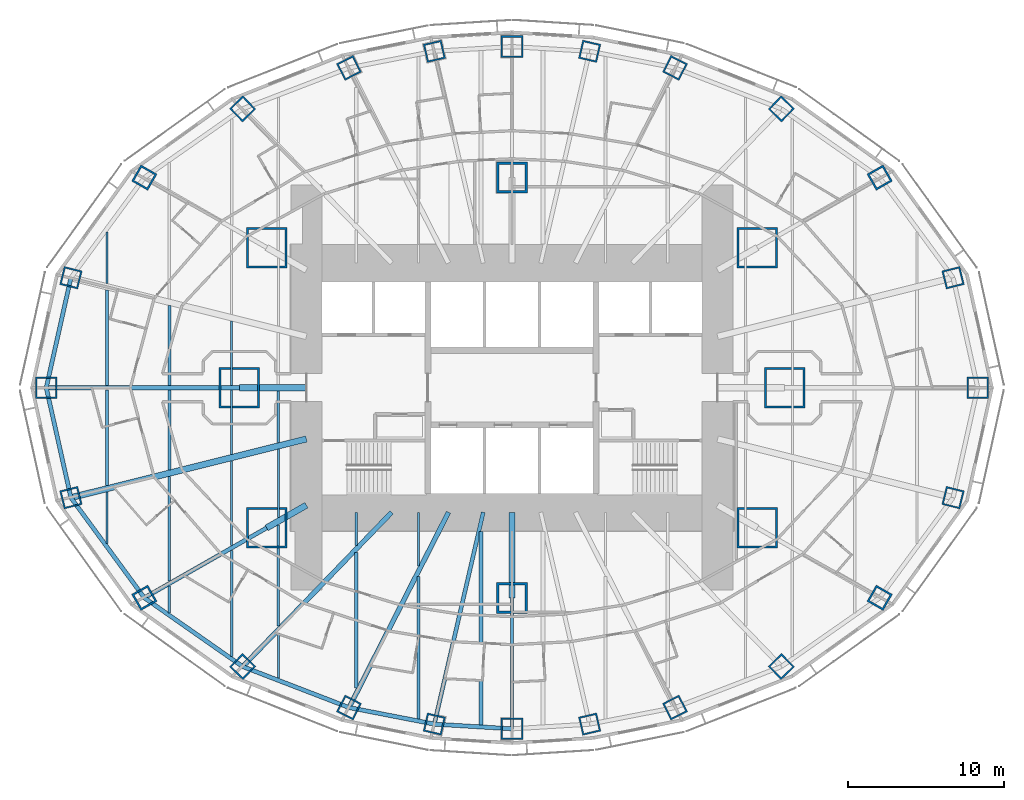
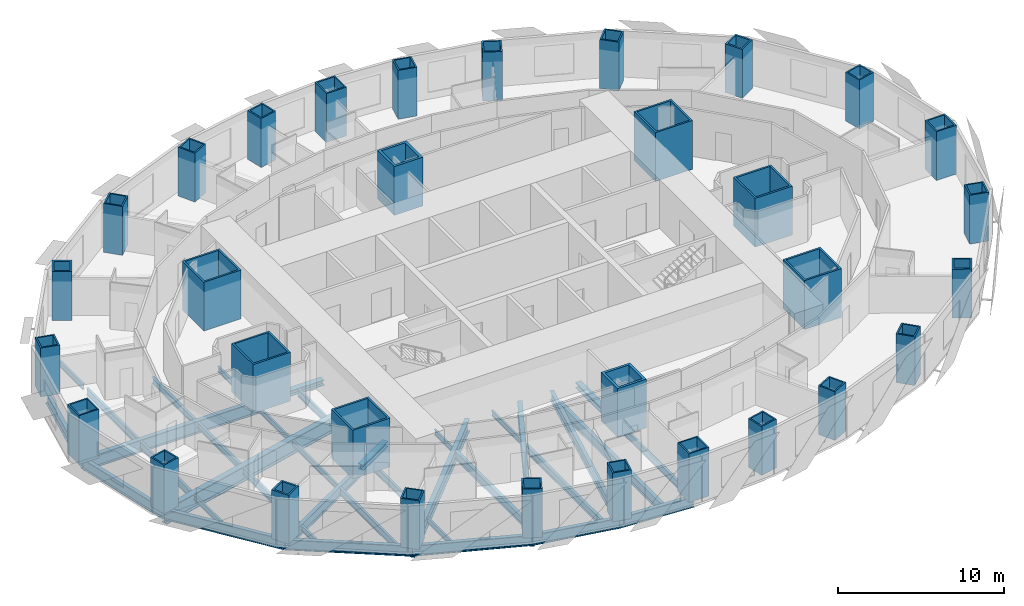
# One storey, part 1 of 15: 38 beams, 32 columns.
"""IFC4 building model written with IfcOpenShell, lengths in metres."""

from ifc_helpers import new_model, si_unit, direction, frame, origin, origin_2d, place, context, subcontext, project, spatial, rectangle, hollow_rectangle, i_section, extrude, material, material_profile, profile_set, type_object, element, save


model = new_model("IFC4")

# Units and contexts
model_context = context("Model", 3, precision=1e-05, world=origin(), true_north=direction((0.0, 1.0)))
body_context = subcontext(model_context, "Body", "Model", "MODEL_VIEW")
ifc_project = project(units=[si_unit("LENGTHUNIT", "METRE"), si_unit("AREAUNIT", "SQUARE_METRE"), si_unit("VOLUMEUNIT", "CUBIC_METRE"), si_unit("PLANEANGLEUNIT", "RADIAN"), si_unit("MASSUNIT", "GRAM", prefix="KILO")], contexts=[model_context])

# Site, building, storey
site_placement = place(None, origin())
site = spatial("IfcSite", under=ifc_project, at=site_placement, CompositionType="ELEMENT")
building_placement = place(site_placement, origin())
building = spatial("IfcBuilding", under=site, at=building_placement, Name="Lantaw Convention Tower", CompositionType="ELEMENT")
storey_placement = place(building_placement, frame((0.0, 0.0, 65.800048828125)))
storey = spatial("IfcBuildingStorey", under=building, at=storey_placement, Name="L14", CompositionType="ELEMENT", Elevation=65.800048828125)

# Columns
ifc_material_1 = material(Name="Steel EN 10025-3 S460N", Category="steel")
ifc_material_profile_1 = material_profile(ifc_material_1, hollow_rectangle(XDim=2.0, YDim=2.0, WallThickness=0.169921875, at=origin_2d()), Name="BOX2000X170")
ifc_material_2 = material(Name="Concrete C60/75", Category="concrete")
ifc_material_profile_2 = material_profile(ifc_material_2, rectangle(XDim=1.659912109375, YDim=1.659912109375, at=origin_2d()), Name="Concrete fill of BOX2000X170")
ifc_profile_set_1 = profile_set([ifc_material_profile_1, ifc_material_profile_2], Name="Steel EN 10025-3 S460N")
column_type_1 = type_object("IfcColumnType", Name="Column MC BOX2000X170", PredefinedType="COLUMN", material=ifc_profile_set_1)
for number, where, z_axis, x_axis, name in (
    (1, (0.0, 13.5, 0.0), (0.0, 0.0, 1.0), (1.0, 0.0, 0.0), "Mega column M3"),
    (2, (0.0, -13.5, 0.0), (0.0, 0.0, 1.0), (1.0, 0.0, 0.0), "Mega column M7"),
):
    element("IfcColumn", number, at=place(storey_placement, frame(where, z_axis=z_axis, x_axis=x_axis)), inside=storey, type_object=column_type_1, Name=name, PredefinedType="COLUMN", context=body_context, shape_type="SweptSolid", body=[
        extrude(hollow_rectangle(XDim=2.0, YDim=2.0, WallThickness=0.169921875, at=origin_2d()), origin(), (0.0, 0.0, 1.0), 3.599853515625),
    ])
ifc_material_profile_3 = material_profile(ifc_material_1, hollow_rectangle(XDim=2.60009765625, YDim=2.60009765625, WallThickness=0.1298828125, at=origin_2d()), Name="BOX2600X130")
ifc_material_profile_4 = material_profile(ifc_material_2, rectangle(XDim=2.340087890625, YDim=2.340087890625, at=origin_2d()), Name="Concrete fill of BOX2600X130")
ifc_profile_set_2 = profile_set([ifc_material_profile_3, ifc_material_profile_4], Name="Steel EN 10025-3 S460N")
column_type_2 = type_object("IfcColumnType", Name="Column MC BOX2600X130", PredefinedType="COLUMN", material=ifc_profile_set_2)
for number, where, z_axis, x_axis, name in (
    (3, (17.5, 0.0, 0.0), (0.0, 0.0, 1.0), (1.0, 0.0, 0.0), "Mega column M1"),
    (4, (15.75, 9.0, 0.0), (0.0, 0.0, 1.0), (1.0, 0.0, 0.0), "Mega column M2"),
    (5, (-15.75, 9.0, 0.0), (0.0, 0.0, 1.0), (1.0, 0.0, 0.0), "Mega column M4"),
    (6, (-17.5, 0.0, 0.0), (0.0, 0.0, 1.0), (1.0, 0.0, 0.0), "Mega column M5"),
    (7, (-15.75, -9.0, 0.0), (0.0, 0.0, 1.0), (1.0, 0.0, 0.0), "Mega column M6"),
    (8, (15.75, -9.0, 0.0), (0.0, 0.0, 1.0), (1.0, 0.0, 0.0), "Mega column M8"),
):
    element("IfcColumn", number, at=place(storey_placement, frame(where, z_axis=z_axis, x_axis=x_axis)), inside=storey, type_object=column_type_2, Name=name, PredefinedType="COLUMN", context=body_context, shape_type="SweptSolid", body=[
        extrude(hollow_rectangle(XDim=2.60009765625, YDim=2.60009765625, WallThickness=0.1298828125, at=origin_2d()), origin(), (0.0, 0.0, 1.0), 3.599853515625),
    ])
ifc_material_profile_5 = material_profile(ifc_material_1, hollow_rectangle(XDim=1.199951171875, YDim=1.199951171875, WallThickness=0.10009765625, at=origin_2d()), Name="BOX1200X100")
ifc_material_profile_6 = material_profile(ifc_material_2, rectangle(XDim=1.0, YDim=1.0, at=origin_2d()), Name="Concrete fill of BOX1200X100")
ifc_profile_set_3 = profile_set([ifc_material_profile_5, ifc_material_profile_6], Name="Steel EN 10025-3 S460N")
column_type_3 = type_object("IfcColumnType", Name="Column PC BOX1200X100", PredefinedType="COLUMN", material=ifc_profile_set_3)
for number, where, z_axis, x_axis, name in (
    (9, (28.31787109375, 7.060302734375, 0.0), (0.0, 0.0, 1.0), (0.970295726276, 0.2419218956, 0.0), "Perimeter column P2"),
    (10, (17.290771484375, 17.9052734375, 0.0), (0.0, 0.0, 1.0), (0.694658370459, 0.719339800339, 0.0), "Perimeter column P4"),
    (11, (10.462646484375, 20.533935546875, 0.0), (0.0, 0.0, 1.0), (0.45399049974, 0.891006524188, 0.0), "Perimeter column P5"),
    (12, (4.986328125, 21.59814453125, 0.0), (0.0, 0.0, 1.0), (0.224951054344, 0.974370064785, 0.0), "Perimeter column P6"),
    (13, (-4.986328125, 21.59814453125, 0.0), (0.0, 0.0, 1.0), (0.974370064785, 0.224951054344, 0.0), "Perimeter column P8"),
    (14, (-10.462646484375, 20.533935546875, 0.0), (0.0, 0.0, 1.0), (0.891006524188, 0.45399049974, 0.0), "Perimeter column P9"),
    (15, (-17.290771484375, 17.9052734375, 0.0), (0.0, 0.0, 1.0), (0.719339800339, 0.694658370459, 0.0), "Perimeter column P10"),
    (16, (-28.31787109375, 7.060302734375, 0.0), (0.0, 0.0, 1.0), (0.2419218956, 0.970295726276, 0.0), "Perimeter column P12"),
    (17, (-28.31787109375, -7.060302734375, 0.0), (0.0, 0.0, 1.0), (0.970295726276, 0.2419218956, 0.0), "Perimeter column P14"),
    (18, (-17.290771484375, -17.9052734375, 0.0), (0.0, 0.0, 1.0), (0.694658370459, 0.719339800339, 0.0), "Perimeter column P16"),
    (19, (-10.462646484375, -20.533935546875, 0.0), (0.0, 0.0, 1.0), (0.45399049974, 0.891006524188, 0.0), "Perimeter column P17"),
    (20, (-4.986328125, -21.59814453125, 0.0), (0.0, 0.0, 1.0), (0.224951054344, 0.974370064785, 0.0), "Perimeter column P18"),
    (21, (4.986328125, -21.59814453125, 0.0), (0.0, 0.0, 1.0), (0.974370064785, 0.224951054344, 0.0), "Perimeter column P20"),
    (22, (10.462646484375, -20.533935546875, 0.0), (0.0, 0.0, 1.0), (0.891006524188, 0.45399049974, 0.0), "Perimeter column P21"),
    (23, (17.290771484375, -17.9052734375, 0.0), (0.0, 0.0, 1.0), (0.719339800339, 0.694658370459, 0.0), "Perimeter column P22"),
    (24, (28.31787109375, -7.060302734375, 0.0), (0.0, 0.0, 1.0), (0.2419218956, 0.970295726276, 0.0), "Perimeter column P24"),
):
    element("IfcColumn", number, at=place(storey_placement, frame(where, z_axis=z_axis, x_axis=x_axis)), inside=storey, type_object=column_type_3, Name=name, PredefinedType="COLUMN", context=body_context, shape_type="SweptSolid", body=[
        extrude(hollow_rectangle(XDim=1.199951171875, YDim=1.199951171875, WallThickness=0.10009765625, at=origin_2d()), origin(), (0.0, 0.0, 1.0), 3.599853515625),
    ])
ifc_material_profile_7 = material_profile(ifc_material_1, hollow_rectangle(XDim=1.199951171875, YDim=1.199951171875, WallThickness=0.1201171875, at=origin_2d()), Name="BOX1200X120")
ifc_material_profile_8 = material_profile(ifc_material_2, rectangle(XDim=0.9599609375, YDim=0.9599609375, at=origin_2d()), Name="Concrete fill of BOX1200X120")
ifc_profile_set_4 = profile_set([ifc_material_profile_7, ifc_material_profile_8], Name="Steel EN 10025-3 S460N")
column_type_4 = type_object("IfcColumnType", Name="Column PC BOX1200X120", PredefinedType="COLUMN", material=ifc_profile_set_4)
for number, where, z_axis, x_axis, name in (
    (25, (23.60498046875, 13.488525390625, 0.0), (0.0, 0.0, 1.0), (0.86824298017, 0.496139221777, 0.0), "Perimeter column P3"),
    (26, (-23.60498046875, 13.488525390625, 0.0), (0.0, 0.0, 1.0), (0.496139221777, 0.86824298017, 0.0), "Perimeter column P11"),
    (27, (-23.60498046875, -13.488525390625, 0.0), (0.0, 0.0, 1.0), (0.86824298017, 0.496139221777, 0.0), "Perimeter column P15"),
    (28, (23.60498046875, -13.488525390625, 0.0), (0.0, 0.0, 1.0), (0.496139221777, 0.86824298017, 0.0), "Perimeter column P23"),
):
    element("IfcColumn", number, at=place(storey_placement, frame(where, z_axis=z_axis, x_axis=x_axis)), inside=storey, type_object=column_type_4, Name=name, PredefinedType="COLUMN", context=body_context, shape_type="SweptSolid", body=[
        extrude(hollow_rectangle(XDim=1.199951171875, YDim=1.199951171875, WallThickness=0.1201171875, at=origin_2d()), origin(), (0.0, 0.0, 1.0), 3.599853515625),
    ])
ifc_material_profile_9 = material_profile(ifc_material_1, hollow_rectangle(XDim=1.39990234375, YDim=1.39990234375, WallThickness=0.10009765625, at=origin_2d()), Name="BOX1400X100")
ifc_material_profile_10 = material_profile(ifc_material_2, rectangle(XDim=1.199951171875, YDim=1.199951171875, at=origin_2d()), Name="Concrete fill of BOX1400X100")
ifc_profile_set_5 = profile_set([ifc_material_profile_9, ifc_material_profile_10], Name="Steel EN 10025-3 S460N")
column_type_5 = type_object("IfcColumnType", Name="Column PC BOX1400X100", PredefinedType="COLUMN", material=ifc_profile_set_5)
for number, where, z_axis, x_axis, name in (
    (29, (29.89990234375, 0.0, 0.0), (0.0, 0.0, 1.0), (1.0, 0.0, 0.0), "Perimeter column P1"),
    (30, (0.0, 21.89990234375, 0.0), (0.0, 0.0, 1.0), (1.0, 0.0, 0.0), "Perimeter column P7"),
    (31, (-29.89990234375, 0.0, 0.0), (0.0, 0.0, 1.0), (1.0, 0.0, 0.0), "Perimeter column P13"),
    (32, (0.0, -21.89990234375, 0.0), (0.0, 0.0, 1.0), (1.0, 0.0, 0.0), "Perimeter column P19"),
):
    element("IfcColumn", number, at=place(storey_placement, frame(where, z_axis=z_axis, x_axis=x_axis)), inside=storey, type_object=column_type_5, Name=name, PredefinedType="COLUMN", context=body_context, shape_type="SweptSolid", body=[
        extrude(hollow_rectangle(XDim=1.39990234375, YDim=1.39990234375, WallThickness=0.10009765625, at=origin_2d()), origin(), (0.0, 0.0, 1.0), 3.599853515625),
    ])

# Beams
ifc_material_3 = material(Name="Steel ASTM A992", Category="steel")
ifc_material_profile_11 = material_profile(ifc_material_3, i_section(OverallWidth=0.2666015625, OverallDepth=0.76953125, WebThickness=0.015625, FlangeThickness=0.025390625, FilletRadius=0.0126953125, at=origin_2d()), Name="W30X132")
ifc_profile_set_6 = profile_set([ifc_material_profile_11], Name="Steel ASTM A992")
beam_type_1 = type_object("IfcBeamType", Name="Beam E W30X132", PredefinedType="SPANDREL", material=ifc_profile_set_6)
for number, where, z_axis, x_axis, name in (
    (33, (-28.31787109375, 7.060302734375, -0.534912109375), (-0.218652184873, -0.975802860239, 0.0), (0.975802860239, -0.218652184873, 0.0), "Edge beam 12"),
    (34, (-29.89990234375, 0.0, -0.534912109375), (0.218652184873, -0.975802860239, 0.0), (0.975802860239, 0.218652184873, 0.0), "Edge beam 13"),
):
    element("IfcBeam", number, at=place(storey_placement, frame(where, z_axis=z_axis, x_axis=x_axis)), inside=storey, type_object=beam_type_1, Name=name, PredefinedType="SPANDREL", context=body_context, shape_type="SweptSolid", body=[
        extrude(i_section(OverallWidth=0.2666015625, OverallDepth=0.76953125, WebThickness=0.015625, FlangeThickness=0.025390625, FilletRadius=0.0126953125, at=origin_2d()), origin(), (0.0, 0.0, 1.0), 7.2353515625),
    ])
beam_1_placement = place(storey_placement, frame((-28.31787109375, -7.060302734375, -0.534912109375), z_axis=(0.591270709086, -0.806473154281, 0.0), x_axis=(0.806473154281, 0.591270709086, 0.0)))
element("IfcBeam", 35, at=beam_1_placement, inside=storey, type_object=beam_type_1, Name="Edge beam 14", PredefinedType="SPANDREL", context=body_context, shape_type="SweptSolid", body=[
    extrude(i_section(OverallWidth=0.2666015625, OverallDepth=0.76953125, WebThickness=0.015625, FlangeThickness=0.025390625, FilletRadius=0.0126953125, at=origin_2d()), origin(), (0.0, 0.0, 1.0), 7.970703125),
])
beam_2_placement = place(storey_placement, frame((-23.60498046875, -13.488525390625, -0.534912109375), z_axis=(0.81942686407, -0.57318375277, 0.0), x_axis=(0.57318375277, 0.81942686407, 0.0)))
element("IfcBeam", 36, at=beam_2_placement, inside=storey, type_object=beam_type_1, Name="Edge beam 15", PredefinedType="SPANDREL", context=body_context, shape_type="SweptSolid", body=[
    extrude(i_section(OverallWidth=0.2666015625, OverallDepth=0.76953125, WebThickness=0.015625, FlangeThickness=0.025390625, FilletRadius=0.0126953125, at=origin_2d()), origin(), (0.0, 0.0, 1.0), 7.70556640625),
])
beam_3_placement = place(storey_placement, frame((-17.290771484375, -17.9052734375, -0.534912109375), z_axis=(0.933232900641, -0.359271976588, 0.0), x_axis=(0.359271976588, 0.933232900641, 0.0)))
element("IfcBeam", 37, at=beam_3_placement, inside=storey, type_object=beam_type_1, Name="Edge beam 16", PredefinedType="SPANDREL", context=body_context, shape_type="SweptSolid", body=[
    extrude(i_section(OverallWidth=0.2666015625, OverallDepth=0.76953125, WebThickness=0.015625, FlangeThickness=0.025390625, FilletRadius=0.0126953125, at=origin_2d()), origin(), (0.0, 0.0, 1.0), 7.316650390625),
])
beam_4_placement = place(storey_placement, frame((-10.462646484375, -20.533935546875, -0.534912109375), z_axis=(0.981636565323, -0.190760723474, 0.0), x_axis=(0.190760723474, 0.981636565323, 0.0)))
element("IfcBeam", 38, at=beam_4_placement, inside=storey, type_object=beam_type_1, Name="Edge beam 17", PredefinedType="SPANDREL", context=body_context, shape_type="SweptSolid", body=[
    extrude(i_section(OverallWidth=0.2666015625, OverallDepth=0.76953125, WebThickness=0.015625, FlangeThickness=0.025390625, FilletRadius=0.0126953125, at=origin_2d()), origin(), (0.0, 0.0, 1.0), 5.578857421875),
])
beam_5_placement = place(storey_placement, frame((-4.986328125, -21.59814453125, -0.534912109375), z_axis=(0.998173858406, -0.060406526096, 0.0), x_axis=(0.060406526096, 0.998173858406, 0.0)))
element("IfcBeam", 39, at=beam_5_placement, inside=storey, type_object=beam_type_1, Name="Edge beam 18", PredefinedType="SPANDREL", context=body_context, shape_type="SweptSolid", body=[
    extrude(i_section(OverallWidth=0.2666015625, OverallDepth=0.76953125, WebThickness=0.015625, FlangeThickness=0.025390625, FilletRadius=0.0126953125, at=origin_2d()), origin(), (0.0, 0.0, 1.0), 4.995361328125),
])
ifc_material_profile_12 = material_profile(ifc_material_3, i_section(OverallWidth=0.1650390625, OverallDepth=0.52587890625, WebThickness=0.0087890625, FlangeThickness=0.011474609375, FilletRadius=0.0126953125, at=origin_2d()), Name="W21X44")
ifc_profile_set_7 = profile_set([ifc_material_profile_12], Name="Steel ASTM A992")
beam_type_2 = type_object("IfcBeamType", Name="Beam G W21X44", PredefinedType="BEAM", material=ifc_profile_set_7)
beam_6_placement = place(storey_placement, frame((0.0, -13.5, -0.412841796875), z_axis=(0.0, -1.0, 0.0), x_axis=(1.0, 0.0, 0.0)))
element("IfcBeam", 40, at=beam_6_placement, inside=storey, type_object=beam_type_2, Name="Floor girder on ray 19", PredefinedType="BEAM", context=body_context, shape_type="SweptSolid", body=[
    extrude(i_section(OverallWidth=0.1650390625, OverallDepth=0.52587890625, WebThickness=0.0087890625, FlangeThickness=0.011474609375, FilletRadius=0.0126953125, at=origin_2d()), origin(), (0.0, 0.0, 1.0), 8.39990234375),
])
ifc_material_profile_13 = material_profile(ifc_material_3, i_section(OverallWidth=0.25390625, OverallDepth=0.683349609375, WebThickness=0.012451171875, FlangeThickness=0.01904296875, FilletRadius=0.01513671875, at=origin_2d()), Name="W27X94")
ifc_profile_set_8 = profile_set([ifc_material_profile_13], Name="Steel ASTM A992")
beam_type_3 = type_object("IfcBeamType", Name="Beam G W27X94", PredefinedType="BEAM", material=ifc_profile_set_8)
beam_7_placement = place(storey_placement, frame((-1.846923828125, -8.0, -0.49169921875), z_axis=(-0.224952773175, -0.97436966796, 0.0), x_axis=(0.97436966796, -0.224952773175, 0.0)))
element("IfcBeam", 41, at=beam_7_placement, inside=storey, type_object=beam_type_3, Name="Floor girder on ray 18", PredefinedType="BEAM", context=body_context, shape_type="SweptSolid", body=[
    extrude(i_section(OverallWidth=0.25390625, OverallDepth=0.683349609375, WebThickness=0.012451171875, FlangeThickness=0.01904296875, FilletRadius=0.01513671875, at=origin_2d()), origin(), (0.0, 0.0, 1.0), 13.955810546875),
])
ifc_material_profile_14 = material_profile(ifc_material_3, i_section(OverallWidth=0.2666015625, OverallDepth=0.7568359375, WebThickness=0.013916015625, FlangeThickness=0.019287109375, FilletRadius=0.0126953125, at=origin_2d()), Name="W30X108")
ifc_profile_set_9 = profile_set([ifc_material_profile_14], Name="Steel ASTM A992")
beam_type_4 = type_object("IfcBeamType", Name="Beam G W30X108", PredefinedType="BEAM", material=ifc_profile_set_9)
beam_8_placement = place(storey_placement, frame((-15.75, -9.0, -0.528564453125), z_axis=(-0.868244802791, -0.496136032179, 0.0), x_axis=(0.496136032179, -0.868244802791, 0.0)))
element("IfcBeam", 42, at=beam_8_placement, inside=storey, type_object=beam_type_4, Name="Floor girder on ray 15", PredefinedType="BEAM", context=body_context, shape_type="SweptSolid", body=[
    extrude(i_section(OverallWidth=0.2666015625, OverallDepth=0.7568359375, WebThickness=0.013916015625, FlangeThickness=0.019287109375, FilletRadius=0.0126953125, at=origin_2d()), origin(), (0.0, 0.0, 1.0), 9.046875),
])
ifc_material_profile_15 = material_profile(ifc_material_3, i_section(OverallWidth=0.307373046875, OverallDepth=0.922119140625, WebThickness=0.018310546875, FlangeThickness=0.030029296875, FilletRadius=0.0126953125, at=origin_2d()), Name="W36X182")
ifc_profile_set_10 = profile_set([ifc_material_profile_15], Name="Steel ASTM A992")
beam_type_5 = type_object("IfcBeamType", Name="Beam G W36X182", PredefinedType="BEAM", material=ifc_profile_set_10)
beam_9_placement = place(storey_placement, frame((-17.5, 0.0, -0.611083984375), z_axis=(-1.0, 0.0, 0.0), x_axis=(0.0, -1.0, 0.0)))
element("IfcBeam", 43, at=beam_9_placement, inside=storey, type_object=beam_type_5, Name="Floor girder on ray 13", PredefinedType="BEAM", context=body_context, shape_type="SweptSolid", body=[
    extrude(i_section(OverallWidth=0.307373046875, OverallDepth=0.922119140625, WebThickness=0.018310546875, FlangeThickness=0.030029296875, FilletRadius=0.0126953125, at=origin_2d()), origin(), (0.0, 0.0, 1.0), 12.39990234375),
])
beam_10_placement = place(storey_placement, frame((-7.7255859375, -8.0, -0.611083984375), z_axis=(-0.694649884291, -0.719347995239, 0.0), x_axis=(0.719347995239, -0.694649884291, 0.0)))
element("IfcBeam", 44, at=beam_10_placement, inside=storey, type_object=beam_type_5, Name="Floor girder on ray 16", PredefinedType="BEAM", context=body_context, shape_type="SweptSolid", body=[
    extrude(i_section(OverallWidth=0.307373046875, OverallDepth=0.922119140625, WebThickness=0.018310546875, FlangeThickness=0.030029296875, FilletRadius=0.0126953125, at=origin_2d()), origin(), (0.0, 0.0, 1.0), 13.769775390625),
])
beam_11_placement = place(storey_placement, frame((-4.076171875, -8.0, -0.611083984375), z_axis=(-0.453997016122, -0.891003203896, 0.0), x_axis=(0.891003203896, -0.453997016122, 0.0)))
element("IfcBeam", 45, at=beam_11_placement, inside=storey, type_object=beam_type_5, Name="Floor girder on ray 17", PredefinedType="BEAM", context=body_context, shape_type="SweptSolid", body=[
    extrude(i_section(OverallWidth=0.307373046875, OverallDepth=0.922119140625, WebThickness=0.018310546875, FlangeThickness=0.030029296875, FilletRadius=0.0126953125, at=origin_2d()), origin(), (0.0, 0.0, 1.0), 14.067138671875),
])
ifc_material_profile_16 = material_profile(ifc_material_3, i_section(OverallWidth=0.40380859375, OverallDepth=1.11767578125, WebThickness=0.026123046875, FlangeThickness=0.044921875, FilletRadius=0.02001953125, at=origin_2d()), Name="W44X335")
ifc_profile_set_11 = profile_set([ifc_material_profile_16], Name="Steel ASTM A992")
beam_type_6 = type_object("IfcBeamType", Name="Beam G W44X335", PredefinedType="BEAM", material=ifc_profile_set_11)
beam_12_placement = place(storey_placement, frame((-13.199951171875, -3.291015625, -0.708740234375), z_axis=(-0.970296233567, -0.241919860957, 0.0), x_axis=(0.241919860957, -0.970296233567, 0.0)))
element("IfcBeam", 46, at=beam_12_placement, inside=storey, type_object=beam_type_6, Name="Floor girder on ray 14", PredefinedType="BEAM", context=body_context, shape_type="SweptSolid", body=[
    extrude(i_section(OverallWidth=0.40380859375, OverallDepth=1.11767578125, WebThickness=0.026123046875, FlangeThickness=0.044921875, FilletRadius=0.02001953125, at=origin_2d()), origin(), (0.0, 0.0, 1.0), 15.580810546875),
])
ifc_material_profile_17 = material_profile(ifc_material_3, i_section(OverallWidth=0.40380859375, OverallDepth=0.406494140625, WebThickness=0.027099609375, FlangeThickness=0.043701171875, FilletRadius=0.01513671875, at=origin_2d()), Name="W14X233")
ifc_profile_set_12 = profile_set([ifc_material_profile_17], Name="Steel ASTM A992")
beam_type_7 = type_object("IfcBeamType", Name="Beam GM W14X233", PredefinedType="BEAM", material=ifc_profile_set_12)
beam_13_placement = place(storey_placement, frame((-13.199951171875, 0.0, -0.353271484375), z_axis=(-1.0, 0.0, 0.0), x_axis=(0.0, -1.0, 0.0)))
element("IfcBeam", 47, at=beam_13_placement, inside=storey, type_object=beam_type_7, Name="Core link beam on ray 13", PredefinedType="BEAM", context=body_context, shape_type="SweptSolid", body=[
    extrude(i_section(OverallWidth=0.40380859375, OverallDepth=0.406494140625, WebThickness=0.027099609375, FlangeThickness=0.043701171875, FilletRadius=0.01513671875, at=origin_2d()), origin(), (0.0, 0.0, 1.0), 4.300048828125),
])
beam_14_placement = place(storey_placement, frame((-13.199951171875, -7.54296875, -0.353271484375), z_axis=(-0.868263603466, -0.496103129295, 0.0), x_axis=(0.496103129295, -0.868263603466, 0.0)))
element("IfcBeam", 48, at=beam_14_placement, inside=storey, type_object=beam_type_7, Name="Core link beam on ray 15", PredefinedType="BEAM", context=body_context, shape_type="SweptSolid", body=[
    extrude(i_section(OverallWidth=0.40380859375, OverallDepth=0.406494140625, WebThickness=0.027099609375, FlangeThickness=0.043701171875, FilletRadius=0.01513671875, at=origin_2d()), origin(), (0.0, 0.0, 1.0), 2.93701171875),
])
beam_15_placement = place(storey_placement, frame((0.0, -8.0, -0.353271484375), z_axis=(0.0, -1.0, 0.0), x_axis=(1.0, 0.0, 0.0)))
element("IfcBeam", 49, at=beam_15_placement, inside=storey, type_object=beam_type_7, Name="Core link beam on ray 19", PredefinedType="BEAM", context=body_context, shape_type="SweptSolid", body=[
    extrude(i_section(OverallWidth=0.40380859375, OverallDepth=0.406494140625, WebThickness=0.027099609375, FlangeThickness=0.043701171875, FilletRadius=0.01513671875, at=origin_2d()), origin(), (0.0, 0.0, 1.0), 5.5),
])
ifc_material_profile_18 = material_profile(ifc_material_3, i_section(OverallWidth=0.140380859375, OverallDepth=0.40380859375, WebThickness=0.007080078125, FlangeThickness=0.01123046875, FilletRadius=0.01025390625, at=origin_2d()), Name="W16X31")
ifc_profile_set_13 = profile_set([ifc_material_profile_18], Name="Steel ASTM A992")
beam_type_8 = type_object("IfcBeamType", Name="Beam J W16X31", PredefinedType="JOIST", material=ifc_profile_set_13)
for number, where, z_axis, x_axis, name in (
    (50, (-26.0, -9.996337890625, -0.35205078125), (0.0, 1.0, 0.0), (-1.0, 0.0, 0.0), "Floor joist"),
    (51, (-26.0, 6.690673828125, -0.35205078125), (0.0, 1.0, 0.0), (-1.0, 0.0, 0.0), "Floor joist"),
):
    element("IfcBeam", number, at=place(storey_placement, frame(where, z_axis=z_axis, x_axis=x_axis)), inside=storey, type_object=beam_type_8, Name=name, PredefinedType="JOIST", context=body_context, shape_type="SweptSolid", body=[
        extrude(i_section(OverallWidth=0.140380859375, OverallDepth=0.40380859375, WebThickness=0.007080078125, FlangeThickness=0.01123046875, FilletRadius=0.01025390625, at=origin_2d()), origin(), (0.0, 0.0, 1.0), 3.3056640625),
    ])
beam_16_placement = place(storey_placement, frame((-22.0, -14.448486328125, -0.35205078125), z_axis=(0.0, 1.0, 0.0), x_axis=(-1.0, 0.0, 0.0)))
element("IfcBeam", 52, at=beam_16_placement, inside=storey, type_object=beam_type_8, Name="Floor joist", PredefinedType="JOIST", context=body_context, shape_type="SweptSolid", body=[
    extrude(i_section(OverallWidth=0.140380859375, OverallDepth=0.40380859375, WebThickness=0.007080078125, FlangeThickness=0.01123046875, FilletRadius=0.01025390625, at=origin_2d()), origin(), (0.0, 0.0, 1.0), 1.723388671875),
])
beam_17_placement = place(storey_placement, frame((-18.0, -10.132080078125, -0.35205078125), z_axis=(0.0, 1.0, 0.0), x_axis=(-1.0, 0.0, 0.0)))
element("IfcBeam", 53, at=beam_17_placement, inside=storey, type_object=beam_type_8, Name="Floor joist", PredefinedType="JOIST", context=body_context, shape_type="SweptSolid", body=[
    extrude(i_section(OverallWidth=0.140380859375, OverallDepth=0.40380859375, WebThickness=0.007080078125, FlangeThickness=0.01123046875, FilletRadius=0.01025390625, at=origin_2d()), origin(), (0.0, 0.0, 1.0), 5.43603515625),
])
for number, where, z_axis, x_axis, name in (
    (54, (-18.0, -4.27978515625, -0.35205078125), (0.0, 1.0, 0.0), (-1.0, 0.0, 0.0), "Floor joist"),
    (55, (-18.0, 0.153564453125, -0.35205078125), (0.0, 1.0, 0.0), (-1.0, 0.0, 0.0), "Floor joist"),
):
    element("IfcBeam", number, at=place(storey_placement, frame(where, z_axis=z_axis, x_axis=x_axis)), inside=storey, type_object=beam_type_8, Name=name, PredefinedType="JOIST", context=body_context, shape_type="SweptSolid", body=[
        extrude(i_section(OverallWidth=0.140380859375, OverallDepth=0.40380859375, WebThickness=0.007080078125, FlangeThickness=0.01123046875, FilletRadius=0.01025390625, at=origin_2d()), origin(), (0.0, 0.0, 1.0), 4.126220703125),
    ])
beam_18_placement = place(storey_placement, frame((-15.0, -18.644287109375, -0.35205078125), z_axis=(0.0, 1.0, 0.0), x_axis=(-1.0, 0.0, 0.0)))
element("IfcBeam", 56, at=beam_18_placement, inside=storey, type_object=beam_type_8, Name="Floor joist", PredefinedType="JOIST", context=body_context, shape_type="SweptSolid", body=[
    extrude(i_section(OverallWidth=0.140380859375, OverallDepth=0.40380859375, WebThickness=0.007080078125, FlangeThickness=0.01123046875, FilletRadius=0.01025390625, at=origin_2d()), origin(), (0.0, 0.0, 1.0), 2.89013671875),
])
beam_19_placement = place(storey_placement, frame((-15.0, -8.3388671875, -0.35205078125), z_axis=(0.0, 1.0, 0.0), x_axis=(-1.0, 0.0, 0.0)))
element("IfcBeam", 57, at=beam_19_placement, inside=storey, type_object=beam_type_8, Name="Floor joist", PredefinedType="JOIST", context=body_context, shape_type="SweptSolid", body=[
    extrude(i_section(OverallWidth=0.140380859375, OverallDepth=0.40380859375, WebThickness=0.007080078125, FlangeThickness=0.01123046875, FilletRadius=0.01025390625, at=origin_2d()), origin(), (0.0, 0.0, 1.0), 4.390869140625),
])
beam_20_placement = place(storey_placement, frame((-10.0, -10.134033203125, -0.35205078125), z_axis=(0.0, 1.0, 0.0), x_axis=(-1.0, 0.0, 0.0)))
element("IfcBeam", 58, at=beam_20_placement, inside=storey, type_object=beam_type_8, Name="Floor joist", PredefinedType="JOIST", context=body_context, shape_type="SweptSolid", body=[
    extrude(i_section(OverallWidth=0.140380859375, OverallDepth=0.40380859375, WebThickness=0.007080078125, FlangeThickness=0.01123046875, FilletRadius=0.01025390625, at=origin_2d()), origin(), (0.0, 0.0, 1.0), 2.134033203125),
])
beam_21_placement = place(storey_placement, frame((-6.0, -11.437255859375, -0.35205078125), z_axis=(0.0, 1.0, 0.0), x_axis=(-1.0, 0.0, 0.0)))
element("IfcBeam", 59, at=beam_21_placement, inside=storey, type_object=beam_type_8, Name="Floor joist", PredefinedType="JOIST", context=body_context, shape_type="SweptSolid", body=[
    extrude(i_section(OverallWidth=0.140380859375, OverallDepth=0.40380859375, WebThickness=0.007080078125, FlangeThickness=0.01123046875, FilletRadius=0.01025390625, at=origin_2d()), origin(), (0.0, 0.0, 1.0), 3.437255859375),
])
ifc_material_profile_19 = material_profile(ifc_material_3, i_section(OverallWidth=0.1904296875, OverallDepth=0.457275390625, WebThickness=0.009033203125, FlangeThickness=0.014404296875, FilletRadius=0.01025390625, at=origin_2d()), Name="W18X50")
ifc_profile_set_14 = profile_set([ifc_material_profile_19], Name="Steel ASTM A992")
beam_type_9 = type_object("IfcBeamType", Name="Beam J W18X50", PredefinedType="JOIST", material=ifc_profile_set_14)
for number, where, z_axis, x_axis, name in (
    (60, (-22.0, -5.277099609375, -0.378662109375), (0.0, 1.0, 0.0), (-1.0, 0.0, 0.0), "Floor joist"),
    (61, (-22.0, 0.153564453125, -0.378662109375), (0.0, 1.0, 0.0), (-1.0, 0.0, 0.0), "Floor joist"),
):
    element("IfcBeam", number, at=place(storey_placement, frame(where, z_axis=z_axis, x_axis=x_axis)), inside=storey, type_object=beam_type_9, Name=name, PredefinedType="JOIST", context=body_context, shape_type="SweptSolid", body=[
        extrude(i_section(OverallWidth=0.1904296875, OverallDepth=0.457275390625, WebThickness=0.009033203125, FlangeThickness=0.014404296875, FilletRadius=0.01025390625, at=origin_2d()), origin(), (0.0, 0.0, 1.0), 5.12353515625),
    ])
ifc_material_profile_20 = material_profile(ifc_material_3, i_section(OverallWidth=0.1650390625, OverallDepth=0.52587890625, WebThickness=0.0087890625, FlangeThickness=0.011474609375, FilletRadius=0.0126953125, at=origin_2d()), Name="W21X44")
ifc_profile_set_15 = profile_set([ifc_material_profile_20], Name="Steel ASTM A992")
beam_type_10 = type_object("IfcBeamType", Name="Beam J W21X44", PredefinedType="JOIST", material=ifc_profile_set_15)
beam_22_placement = place(storey_placement, frame((-22.0, -12.41796875, -0.412841796875), z_axis=(0.0, 1.0, 0.0), x_axis=(-1.0, 0.0, 0.0)))
element("IfcBeam", 62, at=beam_22_placement, inside=storey, type_object=beam_type_10, Name="Floor joist", PredefinedType="JOIST", context=body_context, shape_type="SweptSolid", body=[
    extrude(i_section(OverallWidth=0.1650390625, OverallDepth=0.52587890625, WebThickness=0.0087890625, FlangeThickness=0.011474609375, FilletRadius=0.0126953125, at=origin_2d()), origin(), (0.0, 0.0, 1.0), 6.724609375),
])
beam_23_placement = place(storey_placement, frame((-18.0, -17.246337890625, -0.412841796875), z_axis=(0.0, 1.0, 0.0), x_axis=(-1.0, 0.0, 0.0)))
element("IfcBeam", 63, at=beam_23_placement, inside=storey, type_object=beam_type_10, Name="Floor joist", PredefinedType="JOIST", context=body_context, shape_type="SweptSolid", body=[
    extrude(i_section(OverallWidth=0.1650390625, OverallDepth=0.52587890625, WebThickness=0.0087890625, FlangeThickness=0.011474609375, FilletRadius=0.0126953125, at=origin_2d()), origin(), (0.0, 0.0, 1.0), 6.80712890625),
])
beam_24_placement = place(storey_placement, frame((-15.0, -15.311767578125, -0.412841796875), z_axis=(0.0, 1.0, 0.0), x_axis=(-1.0, 0.0, 0.0)))
element("IfcBeam", 64, at=beam_24_placement, inside=storey, type_object=beam_type_10, Name="Floor joist", PredefinedType="JOIST", context=body_context, shape_type="SweptSolid", body=[
    extrude(i_section(OverallWidth=0.1650390625, OverallDepth=0.52587890625, WebThickness=0.0087890625, FlangeThickness=0.011474609375, FilletRadius=0.0126953125, at=origin_2d()), origin(), (0.0, 0.0, 1.0), 6.5078125),
])
ifc_material_profile_21 = material_profile(ifc_material_3, i_section(OverallWidth=0.165771484375, OverallDepth=0.5283203125, WebThickness=0.009765625, FlangeThickness=0.013671875, FilletRadius=0.012939453125, at=origin_2d()), Name="W21X50")
ifc_profile_set_16 = profile_set([ifc_material_profile_21], Name="Steel ASTM A992")
beam_type_11 = type_object("IfcBeamType", Name="Beam J W21X50", PredefinedType="JOIST", material=ifc_profile_set_16)
for number, where, z_axis, x_axis, name in (
    (65, (-26.0, -6.2744140625, -0.414306640625), (0.0, 1.0, 0.0), (-1.0, 0.0, 0.0), "Floor joist"),
    (66, (-26.0, 0.153564453125, -0.414306640625), (0.0, 1.0, 0.0), (-1.0, 0.0, 0.0), "Floor joist"),
):
    element("IfcBeam", number, at=place(storey_placement, frame(where, z_axis=z_axis, x_axis=x_axis)), inside=storey, type_object=beam_type_11, Name=name, PredefinedType="JOIST", context=body_context, shape_type="SweptSolid", body=[
        extrude(i_section(OverallWidth=0.165771484375, OverallDepth=0.5283203125, WebThickness=0.009765625, FlangeThickness=0.013671875, FilletRadius=0.012939453125, at=origin_2d()), origin(), (0.0, 0.0, 1.0), 6.120849609375),
    ])
beam_25_placement = place(storey_placement, frame((-15.0, -3.53173828125, -0.414306640625), z_axis=(0.0, 1.0, 0.0), x_axis=(-1.0, 0.0, 0.0)))
element("IfcBeam", 67, at=beam_25_placement, inside=storey, type_object=beam_type_11, Name="Floor joist", PredefinedType="JOIST", context=body_context, shape_type="SweptSolid", body=[
    extrude(i_section(OverallWidth=0.165771484375, OverallDepth=0.5283203125, WebThickness=0.009765625, FlangeThickness=0.013671875, FilletRadius=0.012939453125, at=origin_2d()), origin(), (0.0, 0.0, 1.0), 3.329833984375),
])
ifc_material_profile_22 = material_profile(ifc_material_3, i_section(OverallWidth=0.2099609375, OverallDepth=0.535888671875, WebThickness=0.010986328125, FlangeThickness=0.017333984375, FilletRadius=0.012939453125, at=origin_2d()), Name="W21X68")
ifc_profile_set_17 = profile_set([ifc_material_profile_22], Name="Steel ASTM A992")
beam_type_12 = type_object("IfcBeamType", Name="Beam J W21X68", PredefinedType="JOIST", material=ifc_profile_set_17)
beam_26_placement = place(storey_placement, frame((-6.0, -21.26513671875, -0.41796875), z_axis=(0.0, 1.0, 0.0), x_axis=(-1.0, 0.0, 0.0)))
element("IfcBeam", 68, at=beam_26_placement, inside=storey, type_object=beam_type_12, Name="Floor joist", PredefinedType="JOIST", context=body_context, shape_type="SweptSolid", body=[
    extrude(i_section(OverallWidth=0.2099609375, OverallDepth=0.535888671875, WebThickness=0.010986328125, FlangeThickness=0.017333984375, FilletRadius=0.012939453125, at=origin_2d()), origin(), (0.0, 0.0, 1.0), 9.15087890625),
])
ifc_material_profile_23 = material_profile(ifc_material_3, i_section(OverallWidth=0.227783203125, OverallDepth=0.60205078125, WebThickness=0.010498046875, FlangeThickness=0.014892578125, FilletRadius=0.012939453125, at=origin_2d()), Name="W24X68")
ifc_profile_set_18 = profile_set([ifc_material_profile_23], Name="Steel ASTM A992")
beam_type_13 = type_object("IfcBeamType", Name="Beam J W24X68", PredefinedType="JOIST", material=ifc_profile_set_18)
beam_27_placement = place(storey_placement, frame((-10.0, -19.28759765625, -0.450927734375), z_axis=(0.0, 1.0, 0.0), x_axis=(-1.0, 0.0, 0.0)))
element("IfcBeam", 69, at=beam_27_placement, inside=storey, type_object=beam_type_13, Name="Floor joist", PredefinedType="JOIST", context=body_context, shape_type="SweptSolid", body=[
    extrude(i_section(OverallWidth=0.227783203125, OverallDepth=0.60205078125, WebThickness=0.010498046875, FlangeThickness=0.014892578125, FilletRadius=0.012939453125, at=origin_2d()), origin(), (0.0, 0.0, 1.0), 8.711181640625),
])
ifc_material_profile_24 = material_profile(ifc_material_3, i_section(OverallWidth=0.25390625, OverallDepth=0.700927734375, WebThickness=0.015380859375, FlangeThickness=0.02783203125, FilletRadius=0.01513671875, at=origin_2d()), Name="W27X129")
ifc_profile_set_19 = profile_set([ifc_material_profile_24], Name="Steel ASTM A992")
beam_type_14 = type_object("IfcBeamType", Name="Beam J W27X129", PredefinedType="JOIST", material=ifc_profile_set_19)
beam_28_placement = place(storey_placement, frame((-2.0, -21.645263671875, -0.50048828125), z_axis=(0.0, 1.0, 0.0), x_axis=(-1.0, 0.0, 0.0)))
element("IfcBeam", 70, at=beam_28_placement, inside=storey, type_object=beam_type_14, Name="Floor joist", PredefinedType="JOIST", context=body_context, shape_type="SweptSolid", body=[
    extrude(i_section(OverallWidth=0.25390625, OverallDepth=0.700927734375, WebThickness=0.015380859375, FlangeThickness=0.02783203125, FilletRadius=0.01513671875, at=origin_2d()), origin(), (0.0, 0.0, 1.0), 12.417724609375),
])

save(model, "model.ifc")
